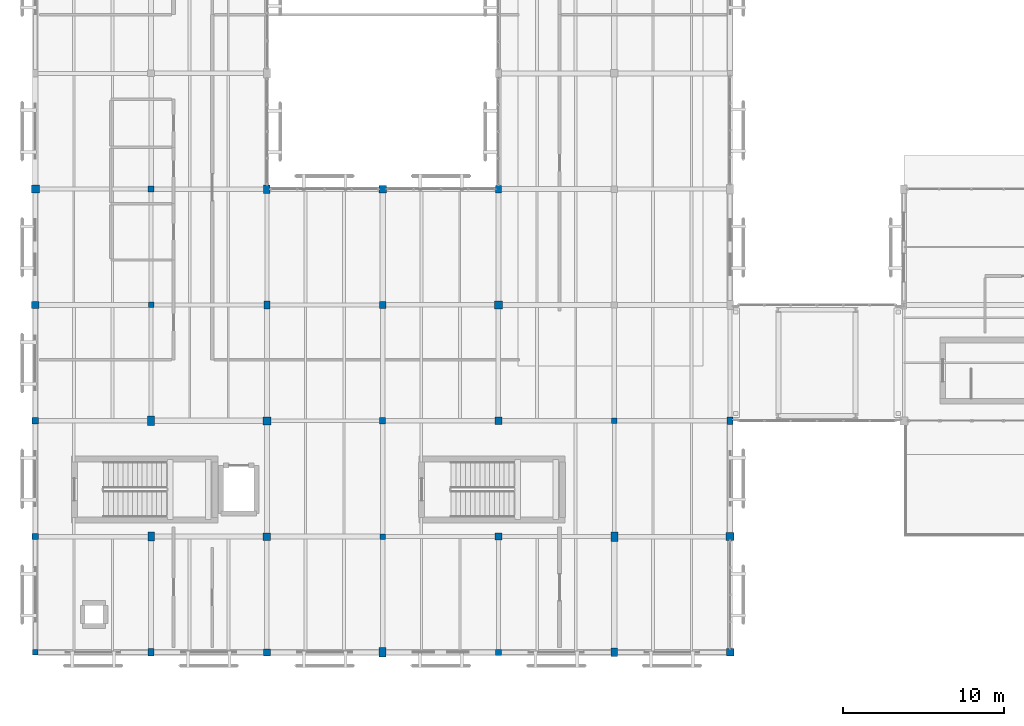
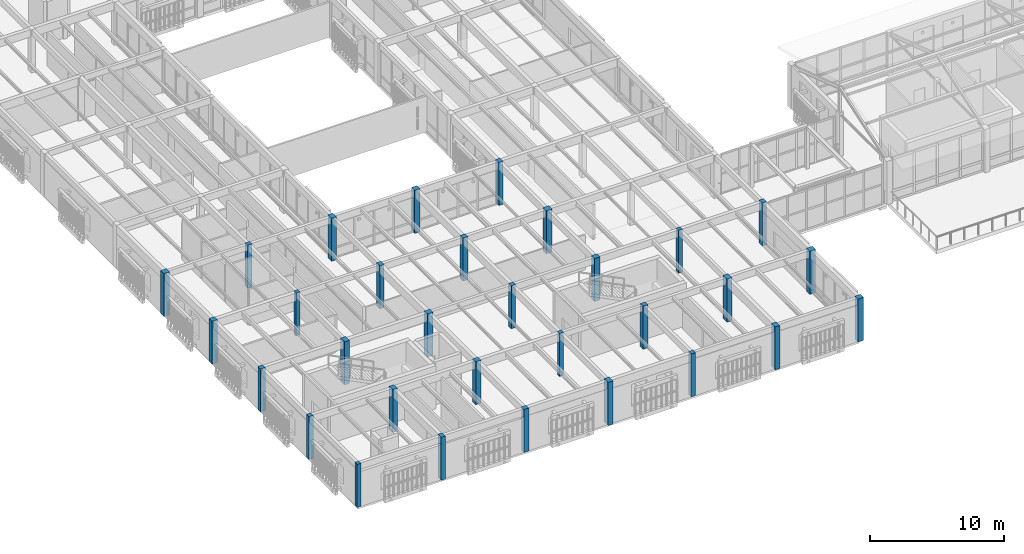
# One storey, part 1 of 112: 31 columns.
"""IFC4 building model written with IfcOpenShell, lengths in metres."""

from ifc_helpers import new_model, si_unit, direction, frame, origin, origin_2d, place, context, subcontext, project, spatial, rectangle, extrude, material, material_profile, profile_set, type_object, element, save


model = new_model("IFC4")

# Units and contexts
model_context = context("Model", 3, precision=1e-05, world=origin(), true_north=direction((0.0, 1.0)))
body_context = subcontext(model_context, "Body", "Model", "MODEL_VIEW")
ifc_project = project(units=[si_unit("LENGTHUNIT", "METRE"), si_unit("AREAUNIT", "SQUARE_METRE"), si_unit("VOLUMEUNIT", "CUBIC_METRE"), si_unit("PLANEANGLEUNIT", "RADIAN"), si_unit("MASSUNIT", "GRAM", prefix="KILO")], contexts=[model_context])

# Site, building, storey
site_placement = place(None, origin())
site = spatial("IfcSite", under=ifc_project, at=site_placement, CompositionType="ELEMENT")
building_placement = place(site_placement, origin())
building = spatial("IfcBuilding", under=site, at=building_placement, Name="Mazaris Harbour Polytechnic", CompositionType="ELEMENT")
storey_placement = place(building_placement, frame((0.0, 0.0, 13.800048828125)))
storey = spatial("IfcBuildingStorey", under=building, at=storey_placement, Name="L03", CompositionType="ELEMENT", Elevation=13.800048828125)

# Columns
ifc_material_1 = material(Name="Glulam GL28h", Category="wood")
ifc_material_profile_1 = material_profile(ifc_material_1, rectangle(XDim=0.340087890625, YDim=0.340087890625, at=origin_2d()), Name="RECT340x340")
ifc_profile_set_1 = profile_set([ifc_material_profile_1], Name="Glulam GL28h")
column_type_1 = type_object("IfcColumnType", Name="Glulam Column 340x340", PredefinedType="COLUMN", material=ifc_profile_set_1)
for number, where, z_axis, x_axis, name in (
    (1, (7.199951171875, 28.800048828125, 0.0), (0.0, 0.0, 1.0), (1.0, 0.0, 0.0), "V4 L03 Column 920"),
    (2, (21.60009765625, 14.39990234375, 0.0), (0.0, 0.0, 1.0), (1.0, 0.0, 0.0), "V4 L03 Column 944"),
    (3, (36.0, 21.60009765625, 0.0), (0.0, 0.0, 1.0), (1.0, 0.0, 0.0), "V4 L03 Column 968"),
):
    element("IfcColumn", number, at=place(storey_placement, frame(where, z_axis=z_axis, x_axis=x_axis)), inside=storey, type_object=column_type_1, Name=name, PredefinedType="COLUMN", context=body_context, shape_type="SweptSolid", body=[
        extrude(rectangle(XDim=0.340087890625, YDim=0.340087890625, at=origin_2d()), origin(), (0.0, 0.0, 1.0), 3.919921875),
    ])
ifc_material_2 = material(Name="Glulam GL28h", Category="wood")
ifc_material_profile_2 = material_profile(ifc_material_2, rectangle(XDim=0.340087890625, YDim=0.340087890625, at=origin_2d()), Name="RECT340x340")
ifc_profile_set_2 = profile_set([ifc_material_profile_2], Name="Glulam GL28h")
column_type_2 = type_object("IfcColumnType", Name="Glulam Column 340x340 Exterior", PredefinedType="COLUMN", material=ifc_profile_set_2)
column_1_placement = place(storey_placement, frame((0.0, 7.199951171875, 0.0), z_axis=(0.0, 0.0, 1.0), x_axis=(1.0, 0.0, 0.0)))
element("IfcColumn", 4, at=column_1_placement, inside=storey, type_object=column_type_2, Name="V4 L03 Column 904", PredefinedType="COLUMN", context=body_context, shape_type="SweptSolid", body=[
    extrude(rectangle(XDim=0.340087890625, YDim=0.340087890625, at=origin_2d()), origin(), (0.0, 0.0, 1.0), 3.919921875),
])
ifc_material_3 = material(Name="Glulam GL28h", Category="wood")
ifc_material_profile_3 = material_profile(ifc_material_3, rectangle(XDim=0.360107421875, YDim=0.47998046875, at=origin_2d()), Name="RECT360x480")
ifc_profile_set_3 = profile_set([ifc_material_profile_3], Name="Glulam GL28h")
column_type_3 = type_object("IfcColumnType", Name="Glulam Column 360x480", PredefinedType="COLUMN", material=ifc_profile_set_3)
for number, where, z_axis, x_axis, name in (
    (5, (14.39990234375, 28.800048828125, 0.0), (0.0, 0.0, 1.0), (1.0, 0.0, 0.0), "V4 L03 Column 933"),
    (6, (28.800048828125, 36.0, 0.0), (0.0, 0.0, 1.0), (1.0, 0.0, 0.0), "V4 L03 Column 957"),
):
    element("IfcColumn", number, at=place(storey_placement, frame(where, z_axis=z_axis, x_axis=x_axis)), inside=storey, type_object=column_type_3, Name=name, PredefinedType="COLUMN", context=body_context, shape_type="SweptSolid", body=[
        extrude(rectangle(XDim=0.360107421875, YDim=0.47998046875, at=origin_2d()), origin(), (0.0, 0.0, 1.0), 3.919921875),
    ])
ifc_material_4 = material(Name="Glulam GL28h", Category="wood")
ifc_material_profile_4 = material_profile(ifc_material_4, rectangle(XDim=0.360107421875, YDim=0.47998046875, at=origin_2d()), Name="RECT360x480")
ifc_profile_set_4 = profile_set([ifc_material_profile_4], Name="Glulam GL28h")
column_type_4 = type_object("IfcColumnType", Name="Glulam Column 360x480 Exterior", PredefinedType="COLUMN", material=ifc_profile_set_4)
for number, where, z_axis, x_axis, name in (
    (7, (7.199951171875, 7.199951171875, 0.0), (0.0, 0.0, 1.0), (1.0, 0.0, 0.0), "V4 L03 Column 917"),
    (8, (43.199951171875, 21.60009765625, 0.0), (0.0, 0.0, 1.0), (1.0, 0.0, 0.0), "V4 L03 Column 981"),
):
    element("IfcColumn", number, at=place(storey_placement, frame(where, z_axis=z_axis, x_axis=x_axis)), inside=storey, type_object=column_type_4, Name=name, PredefinedType="COLUMN", context=body_context, shape_type="SweptSolid", body=[
        extrude(rectangle(XDim=0.360107421875, YDim=0.47998046875, at=origin_2d()), origin(), (0.0, 0.0, 1.0), 3.919921875),
    ])
ifc_material_5 = material(Name="Glulam GL28h", Category="wood")
ifc_material_profile_5 = material_profile(ifc_material_5, rectangle(XDim=0.3798828125, YDim=0.3798828125, at=origin_2d()), Name="RECT380x380")
ifc_profile_set_5 = profile_set([ifc_material_profile_5], Name="Glulam GL28h")
column_type_5 = type_object("IfcColumnType", Name="Glulam Column 380x380", PredefinedType="COLUMN", material=ifc_profile_set_5)
for number, where, z_axis, x_axis, name in (
    (9, (7.199951171875, 36.0, 0.0), (0.0, 0.0, 1.0), (1.0, 0.0, 0.0), "V4 L03 Column 921"),
    (10, (21.60009765625, 21.60009765625, 0.0), (0.0, 0.0, 1.0), (1.0, 0.0, 0.0), "V4 L03 Column 945"),
):
    element("IfcColumn", number, at=place(storey_placement, frame(where, z_axis=z_axis, x_axis=x_axis)), inside=storey, type_object=column_type_5, Name=name, PredefinedType="COLUMN", context=body_context, shape_type="SweptSolid", body=[
        extrude(rectangle(XDim=0.3798828125, YDim=0.3798828125, at=origin_2d()), origin(), (0.0, 0.0, 1.0), 3.919921875),
    ])
ifc_material_6 = material(Name="Glulam GL28h", Category="wood")
ifc_material_profile_6 = material_profile(ifc_material_6, rectangle(XDim=0.3798828125, YDim=0.3798828125, at=origin_2d()), Name="RECT380x380")
ifc_profile_set_6 = profile_set([ifc_material_profile_6], Name="Glulam GL28h")
column_type_6 = type_object("IfcColumnType", Name="Glulam Column 380x380 Exterior", PredefinedType="COLUMN", material=ifc_profile_set_6)
for number, where, z_axis, x_axis, name in (
    (11, (0.0, 14.39990234375, 0.0), (0.0, 0.0, 1.0), (1.0, 0.0, 0.0), "V4 L03 Column 905"),
    (12, (28.800048828125, 7.199951171875, 0.0), (0.0, 0.0, 1.0), (1.0, 0.0, 0.0), "V4 L03 Column 953"),
):
    element("IfcColumn", number, at=place(storey_placement, frame(where, z_axis=z_axis, x_axis=x_axis)), inside=storey, type_object=column_type_6, Name=name, PredefinedType="COLUMN", context=body_context, shape_type="SweptSolid", body=[
        extrude(rectangle(XDim=0.3798828125, YDim=0.3798828125, at=origin_2d()), origin(), (0.0, 0.0, 1.0), 3.919921875),
    ])
ifc_material_7 = material(Name="Glulam GL28h", Category="wood")
ifc_material_profile_7 = material_profile(ifc_material_7, rectangle(XDim=0.39990234375, YDim=0.5400390625, at=origin_2d()), Name="RECT400x540")
ifc_profile_set_7 = profile_set([ifc_material_profile_7], Name="Glulam GL28h")
column_type_7 = type_object("IfcColumnType", Name="Glulam Column 400x540", PredefinedType="COLUMN", material=ifc_profile_set_7)
for number, where, z_axis, x_axis, name in (
    (13, (7.199951171875, 14.39990234375, 0.0), (0.0, 0.0, 1.0), (1.0, 0.0, 0.0), "V4 L03 Column 918"),
    (14, (14.39990234375, 36.0, 0.0), (0.0, 0.0, 1.0), (1.0, 0.0, 0.0), "V4 L03 Column 934"),
):
    element("IfcColumn", number, at=place(storey_placement, frame(where, z_axis=z_axis, x_axis=x_axis)), inside=storey, type_object=column_type_7, Name=name, PredefinedType="COLUMN", context=body_context, shape_type="SweptSolid", body=[
        extrude(rectangle(XDim=0.39990234375, YDim=0.5400390625, at=origin_2d()), origin(), (0.0, 0.0, 1.0), 3.919921875),
    ])
ifc_material_8 = material(Name="Glulam GL28h", Category="wood")
ifc_material_profile_8 = material_profile(ifc_material_8, rectangle(XDim=0.39990234375, YDim=0.5400390625, at=origin_2d()), Name="RECT400x540")
ifc_profile_set_8 = profile_set([ifc_material_profile_8], Name="Glulam GL28h")
column_type_8 = type_object("IfcColumnType", Name="Glulam Column 400x540 Exterior", PredefinedType="COLUMN", material=ifc_profile_set_8)
column_2_placement = place(storey_placement, frame((36.0, 7.199951171875, 0.0), z_axis=(0.0, 0.0, 1.0), x_axis=(1.0, 0.0, 0.0)))
element("IfcColumn", 15, at=column_2_placement, inside=storey, type_object=column_type_8, Name="V4 L03 Column 966", PredefinedType="COLUMN", context=body_context, shape_type="SweptSolid", body=[
    extrude(rectangle(XDim=0.39990234375, YDim=0.5400390625, at=origin_2d()), origin(), (0.0, 0.0, 1.0), 3.919921875),
])
ifc_material_9 = material(Name="Glulam GL28h", Category="wood")
ifc_material_profile_9 = material_profile(ifc_material_9, rectangle(XDim=0.419921875, YDim=0.419921875, at=origin_2d()), Name="RECT420x420")
ifc_profile_set_9 = profile_set([ifc_material_profile_9], Name="Glulam GL28h")
column_type_9 = type_object("IfcColumnType", Name="Glulam Column 420x420", PredefinedType="COLUMN", material=ifc_profile_set_9)
for number, where, z_axis, x_axis, name in (
    (16, (21.60009765625, 28.800048828125, 0.0), (0.0, 0.0, 1.0), (1.0, 0.0, 0.0), "V4 L03 Column 946"),
    (17, (28.800048828125, 14.39990234375, 0.0), (0.0, 0.0, 1.0), (1.0, 0.0, 0.0), "V4 L03 Column 954"),
):
    element("IfcColumn", number, at=place(storey_placement, frame(where, z_axis=z_axis, x_axis=x_axis)), inside=storey, type_object=column_type_9, Name=name, PredefinedType="COLUMN", context=body_context, shape_type="SweptSolid", body=[
        extrude(rectangle(XDim=0.419921875, YDim=0.419921875, at=origin_2d()), origin(), (0.0, 0.0, 1.0), 3.919921875),
    ])
ifc_material_10 = material(Name="Glulam GL28h", Category="wood")
ifc_material_profile_10 = material_profile(ifc_material_10, rectangle(XDim=0.419921875, YDim=0.419921875, at=origin_2d()), Name="RECT420x420")
ifc_profile_set_10 = profile_set([ifc_material_profile_10], Name="Glulam GL28h")
column_type_10 = type_object("IfcColumnType", Name="Glulam Column 420x420 Exterior", PredefinedType="COLUMN", material=ifc_profile_set_10)
for number, where, z_axis, x_axis, name in (
    (18, (0.0, 21.60009765625, 0.0), (0.0, 0.0, 1.0), (1.0, 0.0, 0.0), "V4 L03 Column 906"),
    (19, (14.39990234375, 7.199951171875, 0.0), (0.0, 0.0, 1.0), (1.0, 0.0, 0.0), "V4 L03 Column 930"),
):
    element("IfcColumn", number, at=place(storey_placement, frame(where, z_axis=z_axis, x_axis=x_axis)), inside=storey, type_object=column_type_10, Name=name, PredefinedType="COLUMN", context=body_context, shape_type="SweptSolid", body=[
        extrude(rectangle(XDim=0.419921875, YDim=0.419921875, at=origin_2d()), origin(), (0.0, 0.0, 1.0), 3.919921875),
    ])
ifc_material_11 = material(Name="Glulam GL28h", Category="wood")
ifc_material_profile_11 = material_profile(ifc_material_11, rectangle(XDim=0.43994140625, YDim=0.60009765625, at=origin_2d()), Name="RECT440x600")
ifc_profile_set_11 = profile_set([ifc_material_profile_11], Name="Glulam GL28h")
column_type_11 = type_object("IfcColumnType", Name="Glulam Column 440x600", PredefinedType="COLUMN", material=ifc_profile_set_11)
for number, where, z_axis, x_axis, name in (
    (20, (7.199951171875, 21.60009765625, 0.0), (0.0, 0.0, 1.0), (1.0, 0.0, 0.0), "V4 L03 Column 919"),
    (21, (36.0, 14.39990234375, 0.0), (0.0, 0.0, 1.0), (1.0, 0.0, 0.0), "V4 L03 Column 967"),
):
    element("IfcColumn", number, at=place(storey_placement, frame(where, z_axis=z_axis, x_axis=x_axis)), inside=storey, type_object=column_type_11, Name=name, PredefinedType="COLUMN", context=body_context, shape_type="SweptSolid", body=[
        extrude(rectangle(XDim=0.43994140625, YDim=0.60009765625, at=origin_2d()), origin(), (0.0, 0.0, 1.0), 3.919921875),
    ])
ifc_material_12 = material(Name="Glulam GL28h", Category="wood")
ifc_material_profile_12 = material_profile(ifc_material_12, rectangle(XDim=0.43994140625, YDim=0.60009765625, at=origin_2d()), Name="RECT440x600")
ifc_profile_set_12 = profile_set([ifc_material_profile_12], Name="Glulam GL28h")
column_type_12 = type_object("IfcColumnType", Name="Glulam Column 440x600 Exterior", PredefinedType="COLUMN", material=ifc_profile_set_12)
column_3_placement = place(storey_placement, frame((21.60009765625, 7.199951171875, 0.0), z_axis=(0.0, 0.0, 1.0), x_axis=(1.0, 0.0, 0.0)))
element("IfcColumn", 22, at=column_3_placement, inside=storey, type_object=column_type_12, Name="V4 L03 Column 943", PredefinedType="COLUMN", context=body_context, shape_type="SweptSolid", body=[
    extrude(rectangle(XDim=0.43994140625, YDim=0.60009765625, at=origin_2d()), origin(), (0.0, 0.0, 1.0), 3.919921875),
])
ifc_material_13 = material(Name="Glulam GL28h", Category="wood")
ifc_material_profile_13 = material_profile(ifc_material_13, rectangle(XDim=0.4599609375, YDim=0.4599609375, at=origin_2d()), Name="RECT460x460")
ifc_profile_set_13 = profile_set([ifc_material_profile_13], Name="Glulam GL28h")
column_type_13 = type_object("IfcColumnType", Name="Glulam Column 460x460", PredefinedType="COLUMN", material=ifc_profile_set_13)
for number, where, z_axis, x_axis, name in (
    (23, (14.39990234375, 14.39990234375, 0.0), (0.0, 0.0, 1.0), (1.0, 0.0, 0.0), "V4 L03 Column 931"),
    (24, (21.60009765625, 36.0, 0.0), (0.0, 0.0, 1.0), (1.0, 0.0, 0.0), "V4 L03 Column 947"),
    (25, (28.800048828125, 21.60009765625, 0.0), (0.0, 0.0, 1.0), (1.0, 0.0, 0.0), "V4 L03 Column 955"),
):
    element("IfcColumn", number, at=place(storey_placement, frame(where, z_axis=z_axis, x_axis=x_axis)), inside=storey, type_object=column_type_13, Name=name, PredefinedType="COLUMN", context=body_context, shape_type="SweptSolid", body=[
        extrude(rectangle(XDim=0.4599609375, YDim=0.4599609375, at=origin_2d()), origin(), (0.0, 0.0, 1.0), 3.919921875),
    ])
ifc_material_14 = material(Name="Glulam GL28h", Category="wood")
ifc_material_profile_14 = material_profile(ifc_material_14, rectangle(XDim=0.4599609375, YDim=0.4599609375, at=origin_2d()), Name="RECT460x460")
ifc_profile_set_14 = profile_set([ifc_material_profile_14], Name="Glulam GL28h")
column_type_14 = type_object("IfcColumnType", Name="Glulam Column 460x460 Exterior", PredefinedType="COLUMN", material=ifc_profile_set_14)
for number, where, z_axis, x_axis, name in (
    (26, (0.0, 28.800048828125, 0.0), (0.0, 0.0, 1.0), (1.0, 0.0, 0.0), "V4 L03 Column 907"),
    (27, (43.199951171875, 7.199951171875, 0.0), (0.0, 0.0, 1.0), (1.0, 0.0, 0.0), "V4 L03 Column 979"),
):
    element("IfcColumn", number, at=place(storey_placement, frame(where, z_axis=z_axis, x_axis=x_axis)), inside=storey, type_object=column_type_14, Name=name, PredefinedType="COLUMN", context=body_context, shape_type="SweptSolid", body=[
        extrude(rectangle(XDim=0.4599609375, YDim=0.4599609375, at=origin_2d()), origin(), (0.0, 0.0, 1.0), 3.919921875),
    ])
ifc_material_15 = material(Name="Glulam GL28h", Category="wood")
ifc_material_profile_15 = material_profile(ifc_material_15, rectangle(XDim=0.5, YDim=0.5, at=origin_2d()), Name="RECT500x500")
ifc_profile_set_15 = profile_set([ifc_material_profile_15], Name="Glulam GL28h")
column_type_15 = type_object("IfcColumnType", Name="Glulam Column 500x500", PredefinedType="COLUMN", material=ifc_profile_set_15)
for number, where, z_axis, x_axis, name in (
    (28, (14.39990234375, 21.60009765625, 0.0), (0.0, 0.0, 1.0), (1.0, 0.0, 0.0), "V4 L03 Column 932"),
    (29, (28.800048828125, 28.800048828125, 0.0), (0.0, 0.0, 1.0), (1.0, 0.0, 0.0), "V4 L03 Column 956"),
):
    element("IfcColumn", number, at=place(storey_placement, frame(where, z_axis=z_axis, x_axis=x_axis)), inside=storey, type_object=column_type_15, Name=name, PredefinedType="COLUMN", context=body_context, shape_type="SweptSolid", body=[
        extrude(rectangle(XDim=0.5, YDim=0.5, at=origin_2d()), origin(), (0.0, 0.0, 1.0), 3.919921875),
    ])
ifc_material_16 = material(Name="Glulam GL28h", Category="wood")
ifc_material_profile_16 = material_profile(ifc_material_16, rectangle(XDim=0.5, YDim=0.5, at=origin_2d()), Name="RECT500x500")
ifc_profile_set_16 = profile_set([ifc_material_profile_16], Name="Glulam GL28h")
column_type_16 = type_object("IfcColumnType", Name="Glulam Column 500x500 Exterior", PredefinedType="COLUMN", material=ifc_profile_set_16)
for number, where, z_axis, x_axis, name in (
    (30, (0.0, 36.0, 0.0), (0.0, 0.0, 1.0), (1.0, 0.0, 0.0), "V4 L03 Column 908"),
    (31, (43.199951171875, 14.39990234375, 0.0), (0.0, 0.0, 1.0), (1.0, 0.0, 0.0), "V4 L03 Column 980"),
):
    element("IfcColumn", number, at=place(storey_placement, frame(where, z_axis=z_axis, x_axis=x_axis)), inside=storey, type_object=column_type_16, Name=name, PredefinedType="COLUMN", context=body_context, shape_type="SweptSolid", body=[
        extrude(rectangle(XDim=0.5, YDim=0.5, at=origin_2d()), origin(), (0.0, 0.0, 1.0), 3.919921875),
    ])

save(model, "model.ifc")
